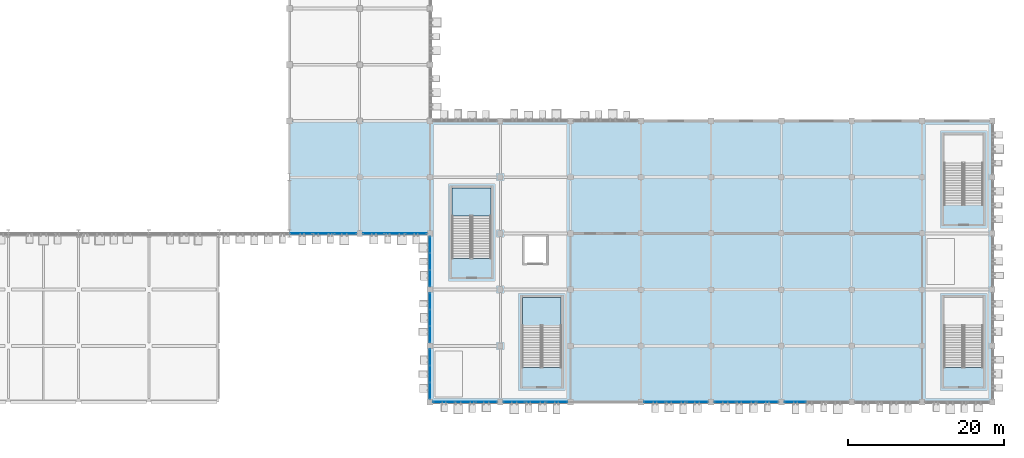
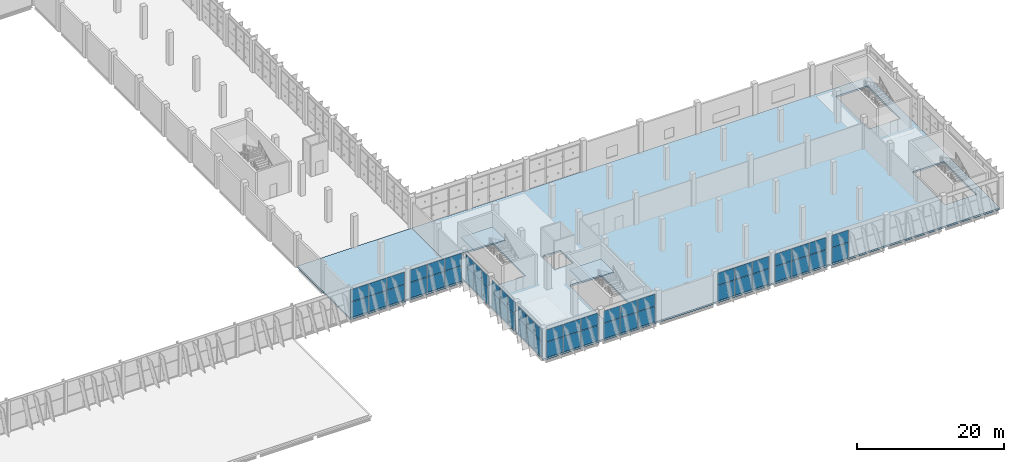
# One storey, part 115 of 189: 56 plates, 4 slabs, 12 elements without a shape of their own.
"""IFC4 building model written with IfcOpenShell, lengths in metres."""

from ifc_helpers import new_model, si_unit, direction, frame, origin, origin_2d, place, context, subcontext, project, spatial, polyline, rectangle, outline, extrude, material, layer, layer_set, type_object, element, aggregate, save


model = new_model("IFC4")

# Units and contexts
model_context = context("Model", 3, precision=1e-05, world=origin(), true_north=direction((0.0, 1.0)))
body_context = subcontext(model_context, "Body", "Model", "MODEL_VIEW")
ifc_project = project(units=[si_unit("LENGTHUNIT", "METRE"), si_unit("AREAUNIT", "SQUARE_METRE"), si_unit("VOLUMEUNIT", "CUBIC_METRE"), si_unit("PLANEANGLEUNIT", "RADIAN"), si_unit("MASSUNIT", "GRAM", prefix="KILO")], contexts=[model_context])

# Site, building, storey
site_placement = place(None, origin())
site = spatial("IfcSite", under=ifc_project, at=site_placement, CompositionType="ELEMENT")
building_placement = place(site_placement, origin())
building = spatial("IfcBuilding", under=site, at=building_placement, Name="Celestram Park Convention Centre", CompositionType="ELEMENT")
storey_placement = place(building_placement, frame((0.0, 0.0, 5.39990234375)))
storey = spatial("IfcBuildingStorey", under=building, at=storey_placement, Name="L01", CompositionType="ELEMENT", Elevation=5.39990234375)

# Curtain wall, plates
ifc_material_1 = material(Name="Anodised Aluminium Alloy 6063-T6", Category="aluminium")
ifc_layer_1 = layer(ifc_material_1, 0.179931640625)
ifc_layer_set_1 = layer_set([ifc_layer_1], Name="Anodised Aluminium Alloy 6063-T6")
curtain_wall_type_1 = type_object("IfcCurtainWallType", Name="ARC-CW-645X476", PredefinedType="NOTDEFINED", material=ifc_layer_set_1)
curtain_wall_1_placement = place(storey_placement, origin())
curtain_wall_1 = element("IfcCurtainWall", 1, at=curtain_wall_1_placement, inside=storey, type_object=curtain_wall_type_1, Name="Unitised curtain wall CU-L01-038", PredefinedType="NOTDEFINED")
ifc_material_2 = material(Name="Insulated Glazing Unit 28 mm", Category="glass")
ifc_layer_2 = layer(ifc_material_2, 0.028076171875)
ifc_layer_set_2 = layer_set([ifc_layer_2], Name="Insulated Glazing Unit 28 mm")
plate_type_1 = type_object("IfcPlateType", Name="ARC-CWP-IGU28", PredefinedType="CURTAIN_PANEL", material=ifc_layer_set_2)
plate_1_placement = place(storey_placement, frame((144.0, 1.46484375, 0.06005859375), z_axis=(0.0, 0.0, 1.0), x_axis=(0.0, 1.0, 0.0)))
plate_1 = element("IfcPlate", 2, at=plate_1_placement, type_object=plate_type_1, Name="CW-64X47 panel 1.1", PredefinedType="CURTAIN_PANEL", context=body_context, shape_type="SweptSolid", body=[
    extrude(rectangle(XDim=2.053955078125, YDim=0.028076171875, at=origin_2d()), origin(), (0.0, 0.0, 1.0), 2.56005859375),
])
plate_2_placement = place(storey_placement, frame((144.0, 1.46484375, 2.68017578125), z_axis=(0.0, 0.0, 1.0), x_axis=(0.0, 1.0, 0.0)))
plate_2 = element("IfcPlate", 3, at=plate_2_placement, type_object=plate_type_1, Name="CW-64X47 panel 1.2", PredefinedType="CURTAIN_PANEL", context=body_context, shape_type="SweptSolid", body=[
    extrude(rectangle(XDim=2.053955078125, YDim=0.028076171875, at=origin_2d()), origin(), (0.0, 0.0, 1.0), 2.02392578125),
])
plate_3_placement = place(storey_placement, frame((144.0, 3.60009765625, 0.06005859375), z_axis=(0.0, 0.0, 1.0), x_axis=(0.0, 1.0, 0.0)))
plate_3 = element("IfcPlate", 4, at=plate_3_placement, type_object=plate_type_1, Name="CW-64X47 panel 2.1", PredefinedType="CURTAIN_PANEL", context=body_context, shape_type="SweptSolid", body=[
    extrude(rectangle(XDim=2.08642578125, YDim=0.028076171875, at=origin_2d()), origin(), (0.0, 0.0, 1.0), 2.56005859375),
])
plate_4_placement = place(storey_placement, frame((144.0, 3.60009765625, 2.68017578125), z_axis=(0.0, 0.0, 1.0), x_axis=(0.0, 1.0, 0.0)))
plate_4 = element("IfcPlate", 5, at=plate_4_placement, type_object=plate_type_1, Name="CW-64X47 panel 2.2", PredefinedType="CURTAIN_PANEL", context=body_context, shape_type="SweptSolid", body=[
    extrude(rectangle(XDim=2.08642578125, YDim=0.028076171875, at=origin_2d()), origin(), (0.0, 0.0, 1.0), 2.02392578125),
])
plate_5_placement = place(storey_placement, frame((144.0, 5.735107421875, 0.06005859375), z_axis=(0.0, 0.0, 1.0), x_axis=(0.0, 1.0, 0.0)))
plate_5 = element("IfcPlate", 6, at=plate_5_placement, type_object=plate_type_1, Name="CW-64X47 panel 3.1", PredefinedType="CURTAIN_PANEL", context=body_context, shape_type="SweptSolid", body=[
    extrude(rectangle(XDim=2.053955078125, YDim=0.028076171875, at=origin_2d()), origin(), (0.0, 0.0, 1.0), 2.56005859375),
])
plate_6_placement = place(storey_placement, frame((144.0, 5.735107421875, 2.68017578125), z_axis=(0.0, 0.0, 1.0), x_axis=(0.0, 1.0, 0.0)))
plate_6 = element("IfcPlate", 7, at=plate_6_placement, type_object=plate_type_1, Name="CW-64X47 panel 3.2", PredefinedType="CURTAIN_PANEL", context=body_context, shape_type="SweptSolid", body=[
    extrude(rectangle(XDim=2.053955078125, YDim=0.028076171875, at=origin_2d()), origin(), (0.0, 0.0, 1.0), 2.02392578125),
])
aggregate(curtain_wall_1, [plate_1, plate_2, plate_3, plate_4, plate_5, plate_6])

ifc_layer_3 = layer(ifc_material_1, 0.179931640625)
ifc_layer_set_3 = layer_set([ifc_layer_3], Name="Anodised Aluminium Alloy 6063-T6")
curtain_wall_type_2 = type_object("IfcCurtainWallType", Name="ARC-CW-645X482", PredefinedType="NOTDEFINED", material=ifc_layer_set_3)
curtain_wall_2_placement = place(storey_placement, origin())
curtain_wall_2 = element("IfcCurtainWall", 8, at=curtain_wall_2_placement, inside=storey, type_object=curtain_wall_type_2, Name="Unitised curtain wall CU-L01-039", PredefinedType="NOTDEFINED")
plate_7_placement = place(storey_placement, frame((144.0, 8.664794921875, 0.06005859375), z_axis=(0.0, 0.0, 1.0), x_axis=(0.0, 1.0, 0.0)))
plate_7 = element("IfcPlate", 9, at=plate_7_placement, type_object=plate_type_1, Name="CW-64X48 panel 1.1", PredefinedType="CURTAIN_PANEL", context=body_context, shape_type="SweptSolid", body=[
    extrude(rectangle(XDim=2.053955078125, YDim=0.028076171875, at=origin_2d()), origin(), (0.0, 0.0, 1.0), 2.56005859375),
])
plate_8_placement = place(storey_placement, frame((144.0, 8.664794921875, 2.68017578125), z_axis=(0.0, 0.0, 1.0), x_axis=(0.0, 1.0, 0.0)))
plate_8 = element("IfcPlate", 10, at=plate_8_placement, type_object=plate_type_1, Name="CW-64X48 panel 1.2", PredefinedType="CURTAIN_PANEL", context=body_context, shape_type="SweptSolid", body=[
    extrude(rectangle(XDim=2.053955078125, YDim=0.028076171875, at=origin_2d()), origin(), (0.0, 0.0, 1.0), 2.080078125),
])
plate_9_placement = place(storey_placement, frame((144.0, 10.800048828125, 0.06005859375), z_axis=(0.0, 0.0, 1.0), x_axis=(0.0, 1.0, 0.0)))
plate_9 = element("IfcPlate", 11, at=plate_9_placement, type_object=plate_type_1, Name="CW-64X48 panel 2.1", PredefinedType="CURTAIN_PANEL", context=body_context, shape_type="SweptSolid", body=[
    extrude(rectangle(XDim=2.08642578125, YDim=0.028076171875, at=origin_2d()), origin(), (0.0, 0.0, 1.0), 2.56005859375),
])
plate_10_placement = place(storey_placement, frame((144.0, 10.800048828125, 2.68017578125), z_axis=(0.0, 0.0, 1.0), x_axis=(0.0, 1.0, 0.0)))
plate_10 = element("IfcPlate", 12, at=plate_10_placement, type_object=plate_type_1, Name="CW-64X48 panel 2.2", PredefinedType="CURTAIN_PANEL", context=body_context, shape_type="SweptSolid", body=[
    extrude(rectangle(XDim=2.08642578125, YDim=0.028076171875, at=origin_2d()), origin(), (0.0, 0.0, 1.0), 2.080078125),
])
plate_11_placement = place(storey_placement, frame((144.0, 12.93505859375, 0.06005859375), z_axis=(0.0, 0.0, 1.0), x_axis=(0.0, 1.0, 0.0)))
plate_11 = element("IfcPlate", 13, at=plate_11_placement, type_object=plate_type_1, Name="CW-64X48 panel 3.1", PredefinedType="CURTAIN_PANEL", context=body_context, shape_type="SweptSolid", body=[
    extrude(rectangle(XDim=2.053955078125, YDim=0.028076171875, at=origin_2d()), origin(), (0.0, 0.0, 1.0), 2.56005859375),
])
plate_12_placement = place(storey_placement, frame((144.0, 12.93505859375, 2.68017578125), z_axis=(0.0, 0.0, 1.0), x_axis=(0.0, 1.0, 0.0)))
plate_12 = element("IfcPlate", 14, at=plate_12_placement, type_object=plate_type_1, Name="CW-64X48 panel 3.2", PredefinedType="CURTAIN_PANEL", context=body_context, shape_type="SweptSolid", body=[
    extrude(rectangle(XDim=2.053955078125, YDim=0.028076171875, at=origin_2d()), origin(), (0.0, 0.0, 1.0), 2.080078125),
])
aggregate(curtain_wall_2, [plate_7, plate_8, plate_9, plate_10, plate_11, plate_12])

ifc_layer_4 = layer(ifc_material_1, 0.179931640625)
ifc_layer_set_4 = layer_set([ifc_layer_4], Name="Anodised Aluminium Alloy 6063-T6")
curtain_wall_type_3 = type_object("IfcCurtainWallType", Name="ARC-CW-645X480", PredefinedType="NOTDEFINED", material=ifc_layer_set_4)
curtain_wall_3_placement = place(storey_placement, origin())
curtain_wall_3 = element("IfcCurtainWall", 15, at=curtain_wall_3_placement, inside=storey, type_object=curtain_wall_type_3, Name="Unitised curtain wall CU-L01-040", PredefinedType="NOTDEFINED")
plate_13_placement = place(storey_placement, frame((144.0, 15.864990234375, 0.06005859375), z_axis=(0.0, 0.0, 1.0), x_axis=(0.0, 1.0, 0.0)))
plate_13 = element("IfcPlate", 16, at=plate_13_placement, type_object=plate_type_1, Name="CW-64X48 panel 1.1", PredefinedType="CURTAIN_PANEL", context=body_context, shape_type="SweptSolid", body=[
    extrude(rectangle(XDim=2.053955078125, YDim=0.028076171875, at=origin_2d()), origin(), (0.0, 0.0, 1.0), 2.56005859375),
])
plate_14_placement = place(storey_placement, frame((144.0, 15.864990234375, 2.68017578125), z_axis=(0.0, 0.0, 1.0), x_axis=(0.0, 1.0, 0.0)))
plate_14 = element("IfcPlate", 17, at=plate_14_placement, type_object=plate_type_1, Name="CW-64X48 panel 1.2", PredefinedType="CURTAIN_PANEL", context=body_context, shape_type="SweptSolid", body=[
    extrude(rectangle(XDim=2.053955078125, YDim=0.028076171875, at=origin_2d()), origin(), (0.0, 0.0, 1.0), 2.06396484375),
])
plate_15_placement = place(storey_placement, frame((144.0, 18.0, 0.06005859375), z_axis=(0.0, 0.0, 1.0), x_axis=(0.0, 1.0, 0.0)))
plate_15 = element("IfcPlate", 18, at=plate_15_placement, type_object=plate_type_1, Name="CW-64X48 panel 2.1", PredefinedType="CURTAIN_PANEL", context=body_context, shape_type="SweptSolid", body=[
    extrude(rectangle(XDim=2.08642578125, YDim=0.028076171875, at=origin_2d()), origin(), (0.0, 0.0, 1.0), 2.56005859375),
])
plate_16_placement = place(storey_placement, frame((144.0, 18.0, 2.68017578125), z_axis=(0.0, 0.0, 1.0), x_axis=(0.0, 1.0, 0.0)))
plate_16 = element("IfcPlate", 19, at=plate_16_placement, type_object=plate_type_1, Name="CW-64X48 panel 2.2", PredefinedType="CURTAIN_PANEL", context=body_context, shape_type="SweptSolid", body=[
    extrude(rectangle(XDim=2.08642578125, YDim=0.028076171875, at=origin_2d()), origin(), (0.0, 0.0, 1.0), 2.06396484375),
])
plate_17_placement = place(storey_placement, frame((144.0, 20.135009765625, 0.06005859375), z_axis=(0.0, 0.0, 1.0), x_axis=(0.0, 1.0, 0.0)))
plate_17 = element("IfcPlate", 20, at=plate_17_placement, type_object=plate_type_1, Name="CW-64X48 panel 3.1", PredefinedType="CURTAIN_PANEL", context=body_context, shape_type="SweptSolid", body=[
    extrude(rectangle(XDim=2.053955078125, YDim=0.028076171875, at=origin_2d()), origin(), (0.0, 0.0, 1.0), 2.56005859375),
])
plate_18_placement = place(storey_placement, frame((144.0, 20.135009765625, 2.68017578125), z_axis=(0.0, 0.0, 1.0), x_axis=(0.0, 1.0, 0.0)))
plate_18 = element("IfcPlate", 21, at=plate_18_placement, type_object=plate_type_1, Name="CW-64X48 panel 3.2", PredefinedType="CURTAIN_PANEL", context=body_context, shape_type="SweptSolid", body=[
    extrude(rectangle(XDim=2.053955078125, YDim=0.028076171875, at=origin_2d()), origin(), (0.0, 0.0, 1.0), 2.06396484375),
])
aggregate(curtain_wall_3, [plate_13, plate_14, plate_15, plate_16, plate_17, plate_18])

ifc_layer_5 = layer(ifc_material_1, 0.179931640625)
ifc_layer_set_5 = layer_set([ifc_layer_5], Name="Anodised Aluminium Alloy 6063-T6")
curtain_wall_type_4 = type_object("IfcCurtainWallType", Name="ARC-CW-825X480", PredefinedType="NOTDEFINED", material=ifc_layer_set_5)
curtain_wall_4_placement = place(storey_placement, origin())
curtain_wall_4 = element("IfcCurtainWall", 22, at=curtain_wall_4_placement, inside=storey, type_object=curtain_wall_type_4, Name="Unitised curtain wall CU-L01-041", PredefinedType="NOTDEFINED")
ifc_material_3 = material(Name="Insulated Glazing Unit 38 mm", Category="glass")
ifc_layer_6 = layer(ifc_material_3, 0.0380859375)
ifc_layer_set_6 = layer_set([ifc_layer_6], Name="Insulated Glazing Unit 38 mm")
plate_type_2 = type_object("IfcPlateType", Name="ARC-CWP-IGU38", PredefinedType="CURTAIN_PANEL", material=ifc_layer_set_6)
plate_19_placement = place(storey_placement, frame((142.232666015625, 21.60009765625, 0.06494140625), z_axis=(0.0, 0.0, 1.0), x_axis=(-1.0, 0.0, 0.0)))
plate_19 = element("IfcPlate", 23, at=plate_19_placement, type_object=plate_type_2, Name="CW-82X48 panel 1.1", PredefinedType="CURTAIN_PANEL", context=body_context, shape_type="SweptSolid", body=[
    extrude(rectangle(XDim=2.638916015625, YDim=0.0380859375, at=origin_2d()), origin(), (0.0, 0.0, 1.0), 2.552490234375),
])
plate_20_placement = place(storey_placement, frame((142.232666015625, 21.60009765625, 2.6826171875), z_axis=(0.0, 0.0, 1.0), x_axis=(-1.0, 0.0, 0.0)))
plate_20 = element("IfcPlate", 24, at=plate_20_placement, type_object=plate_type_2, Name="CW-82X48 panel 1.2", PredefinedType="CURTAIN_PANEL", context=body_context, shape_type="SweptSolid", body=[
    extrude(rectangle(XDim=2.638916015625, YDim=0.0380859375, at=origin_2d()), origin(), (0.0, 0.0, 1.0), 2.056396484375),
])
plate_21_placement = place(storey_placement, frame((139.5, 21.60009765625, 0.06494140625), z_axis=(0.0, 0.0, 1.0), x_axis=(-1.0, 0.0, 0.0)))
plate_21 = element("IfcPlate", 25, at=plate_21_placement, type_object=plate_type_2, Name="CW-82X48 panel 2.1", PredefinedType="CURTAIN_PANEL", context=body_context, shape_type="SweptSolid", body=[
    extrude(rectangle(XDim=2.67626953125, YDim=0.0380859375, at=origin_2d()), origin(), (0.0, 0.0, 1.0), 2.552490234375),
])
plate_22_placement = place(storey_placement, frame((139.5, 21.60009765625, 2.6826171875), z_axis=(0.0, 0.0, 1.0), x_axis=(-1.0, 0.0, 0.0)))
plate_22 = element("IfcPlate", 26, at=plate_22_placement, type_object=plate_type_2, Name="CW-82X48 panel 2.2", PredefinedType="CURTAIN_PANEL", context=body_context, shape_type="SweptSolid", body=[
    extrude(rectangle(XDim=2.67626953125, YDim=0.0380859375, at=origin_2d()), origin(), (0.0, 0.0, 1.0), 2.056396484375),
])
plate_23_placement = place(storey_placement, frame((136.767333984375, 21.60009765625, 0.06494140625), z_axis=(0.0, 0.0, 1.0), x_axis=(-1.0, 0.0, 0.0)))
plate_23 = element("IfcPlate", 27, at=plate_23_placement, type_object=plate_type_2, Name="CW-82X48 panel 3.1", PredefinedType="CURTAIN_PANEL", context=body_context, shape_type="SweptSolid", body=[
    extrude(rectangle(XDim=2.638916015625, YDim=0.0380859375, at=origin_2d()), origin(), (0.0, 0.0, 1.0), 2.552490234375),
])
plate_24_placement = place(storey_placement, frame((136.767333984375, 21.60009765625, 2.6826171875), z_axis=(0.0, 0.0, 1.0), x_axis=(-1.0, 0.0, 0.0)))
plate_24 = element("IfcPlate", 28, at=plate_24_placement, type_object=plate_type_2, Name="CW-82X48 panel 3.2", PredefinedType="CURTAIN_PANEL", context=body_context, shape_type="SweptSolid", body=[
    extrude(rectangle(XDim=2.638916015625, YDim=0.0380859375, at=origin_2d()), origin(), (0.0, 0.0, 1.0), 2.056396484375),
])
aggregate(curtain_wall_4, [plate_19, plate_20, plate_21, plate_22, plate_23, plate_24])

ifc_layer_7 = layer(ifc_material_1, 0.179931640625)
ifc_layer_set_7 = layer_set([ifc_layer_7], Name="Anodised Aluminium Alloy 6063-T6")
curtain_wall_type_5 = type_object("IfcCurtainWallType", Name="ARC-CW-862X480", PredefinedType="NOTDEFINED", material=ifc_layer_set_7)
curtain_wall_5_placement = place(storey_placement, origin())
curtain_wall_5 = element("IfcCurtainWall", 29, at=curtain_wall_5_placement, inside=storey, type_object=curtain_wall_type_5, Name="Unitised curtain wall CU-L01-042", PredefinedType="NOTDEFINED")
plate_25_placement = place(storey_placement, frame((133.172119140625, 21.60009765625, 0.06494140625), z_axis=(0.0, 0.0, 1.0), x_axis=(-1.0, 0.0, 0.0)))
plate_25 = element("IfcPlate", 30, at=plate_25_placement, type_object=plate_type_2, Name="CW-86X48 panel 1.1", PredefinedType="CURTAIN_PANEL", context=body_context, shape_type="SweptSolid", body=[
    extrude(rectangle(XDim=2.759765625, YDim=0.0380859375, at=origin_2d()), origin(), (0.0, 0.0, 1.0), 2.552490234375),
])
plate_26_placement = place(storey_placement, frame((133.172119140625, 21.60009765625, 2.6826171875), z_axis=(0.0, 0.0, 1.0), x_axis=(-1.0, 0.0, 0.0)))
plate_26 = element("IfcPlate", 31, at=plate_26_placement, type_object=plate_type_2, Name="CW-86X48 panel 1.2", PredefinedType="CURTAIN_PANEL", context=body_context, shape_type="SweptSolid", body=[
    extrude(rectangle(XDim=2.759765625, YDim=0.0380859375, at=origin_2d()), origin(), (0.0, 0.0, 1.0), 2.056396484375),
])
plate_27_placement = place(storey_placement, frame((130.318603515625, 21.60009765625, 0.06494140625), z_axis=(0.0, 0.0, 1.0), x_axis=(-1.0, 0.0, 0.0)))
plate_27 = element("IfcPlate", 32, at=plate_27_placement, type_object=plate_type_2, Name="CW-86X48 panel 2.1", PredefinedType="CURTAIN_PANEL", context=body_context, shape_type="SweptSolid", body=[
    extrude(rectangle(XDim=2.79736328125, YDim=0.0380859375, at=origin_2d()), origin(), (0.0, 0.0, 1.0), 2.552490234375),
])
plate_28_placement = place(storey_placement, frame((130.318603515625, 21.60009765625, 2.6826171875), z_axis=(0.0, 0.0, 1.0), x_axis=(-1.0, 0.0, 0.0)))
plate_28 = element("IfcPlate", 33, at=plate_28_placement, type_object=plate_type_2, Name="CW-86X48 panel 2.2", PredefinedType="CURTAIN_PANEL", context=body_context, shape_type="SweptSolid", body=[
    extrude(rectangle(XDim=2.79736328125, YDim=0.0380859375, at=origin_2d()), origin(), (0.0, 0.0, 1.0), 2.056396484375),
])
plate_29_placement = place(storey_placement, frame((127.46484375, 21.60009765625, 0.06494140625), z_axis=(0.0, 0.0, 1.0), x_axis=(-1.0, 0.0, 0.0)))
plate_29 = element("IfcPlate", 34, at=plate_29_placement, type_object=plate_type_2, Name="CW-86X48 panel 3.1", PredefinedType="CURTAIN_PANEL", context=body_context, shape_type="SweptSolid", body=[
    extrude(rectangle(XDim=2.759765625, YDim=0.0380859375, at=origin_2d()), origin(), (0.0, 0.0, 1.0), 2.552490234375),
])
plate_30_placement = place(storey_placement, frame((127.46484375, 21.60009765625, 2.6826171875), z_axis=(0.0, 0.0, 1.0), x_axis=(-1.0, 0.0, 0.0)))
plate_30 = element("IfcPlate", 35, at=plate_30_placement, type_object=plate_type_2, Name="CW-86X48 panel 3.2", PredefinedType="CURTAIN_PANEL", context=body_context, shape_type="SweptSolid", body=[
    extrude(rectangle(XDim=2.759765625, YDim=0.0380859375, at=origin_2d()), origin(), (0.0, 0.0, 1.0), 2.056396484375),
])
aggregate(curtain_wall_5, [plate_25, plate_26, plate_27, plate_28, plate_29, plate_30])

ifc_layer_8 = layer(ifc_material_1, 0.179931640625)
ifc_layer_set_8 = layer_set([ifc_layer_8], Name="Anodised Aluminium Alloy 6063-T6")
curtain_wall_type_6 = type_object("IfcCurtainWallType", Name="ARC-CW-825X476", PredefinedType="NOTDEFINED", material=ifc_layer_set_8)
curtain_wall_6_placement = place(storey_placement, origin())
curtain_wall_6 = element("IfcCurtainWall", 36, at=curtain_wall_6_placement, inside=storey, type_object=curtain_wall_type_6, Name="Unitised curtain wall CU-L01-108", PredefinedType="NOTDEFINED")
plate_31_placement = place(storey_placement, frame((190.767333984375, 0.0, 0.06494140625), z_axis=(0.0, 0.0, 1.0), x_axis=(-1.0, 0.0, 0.0)))
plate_31 = element("IfcPlate", 37, at=plate_31_placement, type_object=plate_type_2, Name="CW-82X47 panel 3.1", PredefinedType="CURTAIN_PANEL", context=body_context, shape_type="SweptSolid", body=[
    extrude(rectangle(XDim=2.638916015625, YDim=0.0380859375, at=origin_2d()), origin(), (0.0, 0.0, 1.0), 2.552490234375),
])
plate_32_placement = place(storey_placement, frame((190.767333984375, 0.0, 2.6826171875), z_axis=(0.0, 0.0, 1.0), x_axis=(-1.0, 0.0, 0.0)))
plate_32 = element("IfcPlate", 38, at=plate_32_placement, type_object=plate_type_2, Name="CW-82X47 panel 3.2", PredefinedType="CURTAIN_PANEL", context=body_context, shape_type="SweptSolid", body=[
    extrude(rectangle(XDim=2.638916015625, YDim=0.0380859375, at=origin_2d()), origin(), (0.0, 0.0, 1.0), 2.0166015625),
])
aggregate(curtain_wall_6, [plate_31, plate_32])

curtain_wall_7_placement = place(storey_placement, origin())
curtain_wall_7 = element("IfcCurtainWall", 39, at=curtain_wall_7_placement, inside=storey, type_object=curtain_wall_type_6, Name="Unitised curtain wall CU-L01-109", PredefinedType="NOTDEFINED")
plate_33_placement = place(storey_placement, frame((187.232666015625, 0.0, 0.06494140625), z_axis=(0.0, 0.0, 1.0), x_axis=(-1.0, 0.0, 0.0)))
plate_33 = element("IfcPlate", 40, at=plate_33_placement, type_object=plate_type_2, Name="CW-82X47 panel 1.1", PredefinedType="CURTAIN_PANEL", context=body_context, shape_type="SweptSolid", body=[
    extrude(rectangle(XDim=2.638916015625, YDim=0.0380859375, at=origin_2d()), origin(), (0.0, 0.0, 1.0), 2.552490234375),
])
plate_34_placement = place(storey_placement, frame((187.232666015625, 0.0, 2.6826171875), z_axis=(0.0, 0.0, 1.0), x_axis=(-1.0, 0.0, 0.0)))
plate_34 = element("IfcPlate", 41, at=plate_34_placement, type_object=plate_type_2, Name="CW-82X47 panel 1.2", PredefinedType="CURTAIN_PANEL", context=body_context, shape_type="SweptSolid", body=[
    extrude(rectangle(XDim=2.638916015625, YDim=0.0380859375, at=origin_2d()), origin(), (0.0, 0.0, 1.0), 2.0166015625),
])
plate_35_placement = place(storey_placement, frame((184.5, 0.0, 0.06494140625), z_axis=(0.0, 0.0, 1.0), x_axis=(-1.0, 0.0, 0.0)))
plate_35 = element("IfcPlate", 42, at=plate_35_placement, type_object=plate_type_2, Name="CW-82X47 panel 2.1", PredefinedType="CURTAIN_PANEL", context=body_context, shape_type="SweptSolid", body=[
    extrude(rectangle(XDim=2.67626953125, YDim=0.0380859375, at=origin_2d()), origin(), (0.0, 0.0, 1.0), 2.552490234375),
])
plate_36_placement = place(storey_placement, frame((184.5, 0.0, 2.6826171875), z_axis=(0.0, 0.0, 1.0), x_axis=(-1.0, 0.0, 0.0)))
plate_36 = element("IfcPlate", 43, at=plate_36_placement, type_object=plate_type_2, Name="CW-82X47 panel 2.2", PredefinedType="CURTAIN_PANEL", context=body_context, shape_type="SweptSolid", body=[
    extrude(rectangle(XDim=2.67626953125, YDim=0.0380859375, at=origin_2d()), origin(), (0.0, 0.0, 1.0), 2.0166015625),
])
plate_37_placement = place(storey_placement, frame((181.767333984375, 0.0, 0.06494140625), z_axis=(0.0, 0.0, 1.0), x_axis=(-1.0, 0.0, 0.0)))
plate_37 = element("IfcPlate", 44, at=plate_37_placement, type_object=plate_type_2, Name="CW-82X47 panel 3.1", PredefinedType="CURTAIN_PANEL", context=body_context, shape_type="SweptSolid", body=[
    extrude(rectangle(XDim=2.638916015625, YDim=0.0380859375, at=origin_2d()), origin(), (0.0, 0.0, 1.0), 2.552490234375),
])
plate_38_placement = place(storey_placement, frame((181.767333984375, 0.0, 2.6826171875), z_axis=(0.0, 0.0, 1.0), x_axis=(-1.0, 0.0, 0.0)))
plate_38 = element("IfcPlate", 45, at=plate_38_placement, type_object=plate_type_2, Name="CW-82X47 panel 3.2", PredefinedType="CURTAIN_PANEL", context=body_context, shape_type="SweptSolid", body=[
    extrude(rectangle(XDim=2.638916015625, YDim=0.0380859375, at=origin_2d()), origin(), (0.0, 0.0, 1.0), 2.0166015625),
])
aggregate(curtain_wall_7, [plate_33, plate_34, plate_35, plate_36, plate_37, plate_38])

curtain_wall_8_placement = place(storey_placement, origin())
curtain_wall_8 = element("IfcCurtainWall", 46, at=curtain_wall_8_placement, inside=storey, type_object=curtain_wall_type_6, Name="Unitised curtain wall CU-L01-110", PredefinedType="NOTDEFINED")
plate_39_placement = place(storey_placement, frame((178.232666015625, 0.0, 0.06494140625), z_axis=(0.0, 0.0, 1.0), x_axis=(-1.0, 0.0, 0.0)))
plate_39 = element("IfcPlate", 47, at=plate_39_placement, type_object=plate_type_2, Name="CW-82X47 panel 1.1", PredefinedType="CURTAIN_PANEL", context=body_context, shape_type="SweptSolid", body=[
    extrude(rectangle(XDim=2.638916015625, YDim=0.0380859375, at=origin_2d()), origin(), (0.0, 0.0, 1.0), 2.552490234375),
])
plate_40_placement = place(storey_placement, frame((178.232666015625, 0.0, 2.6826171875), z_axis=(0.0, 0.0, 1.0), x_axis=(-1.0, 0.0, 0.0)))
plate_40 = element("IfcPlate", 48, at=plate_40_placement, type_object=plate_type_2, Name="CW-82X47 panel 1.2", PredefinedType="CURTAIN_PANEL", context=body_context, shape_type="SweptSolid", body=[
    extrude(rectangle(XDim=2.638916015625, YDim=0.0380859375, at=origin_2d()), origin(), (0.0, 0.0, 1.0), 2.0166015625),
])
plate_41_placement = place(storey_placement, frame((175.5, 0.0, 0.06494140625), z_axis=(0.0, 0.0, 1.0), x_axis=(-1.0, 0.0, 0.0)))
plate_41 = element("IfcPlate", 49, at=plate_41_placement, type_object=plate_type_2, Name="CW-82X47 panel 2.1", PredefinedType="CURTAIN_PANEL", context=body_context, shape_type="SweptSolid", body=[
    extrude(rectangle(XDim=2.67626953125, YDim=0.0380859375, at=origin_2d()), origin(), (0.0, 0.0, 1.0), 2.552490234375),
])
plate_42_placement = place(storey_placement, frame((175.5, 0.0, 2.6826171875), z_axis=(0.0, 0.0, 1.0), x_axis=(-1.0, 0.0, 0.0)))
plate_42 = element("IfcPlate", 50, at=plate_42_placement, type_object=plate_type_2, Name="CW-82X47 panel 2.2", PredefinedType="CURTAIN_PANEL", context=body_context, shape_type="SweptSolid", body=[
    extrude(rectangle(XDim=2.67626953125, YDim=0.0380859375, at=origin_2d()), origin(), (0.0, 0.0, 1.0), 2.0166015625),
])
plate_43_placement = place(storey_placement, frame((172.767333984375, 0.0, 0.06494140625), z_axis=(0.0, 0.0, 1.0), x_axis=(-1.0, 0.0, 0.0)))
plate_43 = element("IfcPlate", 51, at=plate_43_placement, type_object=plate_type_2, Name="CW-82X47 panel 3.1", PredefinedType="CURTAIN_PANEL", context=body_context, shape_type="SweptSolid", body=[
    extrude(rectangle(XDim=2.638916015625, YDim=0.0380859375, at=origin_2d()), origin(), (0.0, 0.0, 1.0), 2.552490234375),
])
plate_44_placement = place(storey_placement, frame((172.767333984375, 0.0, 2.6826171875), z_axis=(0.0, 0.0, 1.0), x_axis=(-1.0, 0.0, 0.0)))
plate_44 = element("IfcPlate", 52, at=plate_44_placement, type_object=plate_type_2, Name="CW-82X47 panel 3.2", PredefinedType="CURTAIN_PANEL", context=body_context, shape_type="SweptSolid", body=[
    extrude(rectangle(XDim=2.638916015625, YDim=0.0380859375, at=origin_2d()), origin(), (0.0, 0.0, 1.0), 2.0166015625),
])
aggregate(curtain_wall_8, [plate_39, plate_40, plate_41, plate_42, plate_43, plate_44])

curtain_wall_9_placement = place(storey_placement, origin())
curtain_wall_9 = element("IfcCurtainWall", 53, at=curtain_wall_9_placement, inside=storey, type_object=curtain_wall_type_6, Name="Unitised curtain wall CU-L01-111", PredefinedType="NOTDEFINED")
plate_45_placement = place(storey_placement, frame((160.232666015625, 0.0, 0.06494140625), z_axis=(0.0, 0.0, 1.0), x_axis=(-1.0, 0.0, 0.0)))
plate_45 = element("IfcPlate", 54, at=plate_45_placement, type_object=plate_type_2, Name="CW-82X47 panel 1.1", PredefinedType="CURTAIN_PANEL", context=body_context, shape_type="SweptSolid", body=[
    extrude(rectangle(XDim=2.638916015625, YDim=0.0380859375, at=origin_2d()), origin(), (0.0, 0.0, 1.0), 2.552490234375),
])
plate_46_placement = place(storey_placement, frame((160.232666015625, 0.0, 2.6826171875), z_axis=(0.0, 0.0, 1.0), x_axis=(-1.0, 0.0, 0.0)))
plate_46 = element("IfcPlate", 55, at=plate_46_placement, type_object=plate_type_2, Name="CW-82X47 panel 1.2", PredefinedType="CURTAIN_PANEL", context=body_context, shape_type="SweptSolid", body=[
    extrude(rectangle(XDim=2.638916015625, YDim=0.0380859375, at=origin_2d()), origin(), (0.0, 0.0, 1.0), 2.0166015625),
])
plate_47_placement = place(storey_placement, frame((157.5, 0.0, 0.06494140625), z_axis=(0.0, 0.0, 1.0), x_axis=(-1.0, 0.0, 0.0)))
plate_47 = element("IfcPlate", 56, at=plate_47_placement, type_object=plate_type_2, Name="CW-82X47 panel 2.1", PredefinedType="CURTAIN_PANEL", context=body_context, shape_type="SweptSolid", body=[
    extrude(rectangle(XDim=2.67626953125, YDim=0.0380859375, at=origin_2d()), origin(), (0.0, 0.0, 1.0), 2.552490234375),
])
plate_48_placement = place(storey_placement, frame((157.5, 0.0, 2.6826171875), z_axis=(0.0, 0.0, 1.0), x_axis=(-1.0, 0.0, 0.0)))
plate_48 = element("IfcPlate", 57, at=plate_48_placement, type_object=plate_type_2, Name="CW-82X47 panel 2.2", PredefinedType="CURTAIN_PANEL", context=body_context, shape_type="SweptSolid", body=[
    extrude(rectangle(XDim=2.67626953125, YDim=0.0380859375, at=origin_2d()), origin(), (0.0, 0.0, 1.0), 2.0166015625),
])
plate_49_placement = place(storey_placement, frame((154.767333984375, 0.0, 0.06494140625), z_axis=(0.0, 0.0, 1.0), x_axis=(-1.0, 0.0, 0.0)))
plate_49 = element("IfcPlate", 58, at=plate_49_placement, type_object=plate_type_2, Name="CW-82X47 panel 3.1", PredefinedType="CURTAIN_PANEL", context=body_context, shape_type="SweptSolid", body=[
    extrude(rectangle(XDim=2.638916015625, YDim=0.0380859375, at=origin_2d()), origin(), (0.0, 0.0, 1.0), 2.552490234375),
])
plate_50_placement = place(storey_placement, frame((154.767333984375, 0.0, 2.6826171875), z_axis=(0.0, 0.0, 1.0), x_axis=(-1.0, 0.0, 0.0)))
plate_50 = element("IfcPlate", 59, at=plate_50_placement, type_object=plate_type_2, Name="CW-82X47 panel 3.2", PredefinedType="CURTAIN_PANEL", context=body_context, shape_type="SweptSolid", body=[
    extrude(rectangle(XDim=2.638916015625, YDim=0.0380859375, at=origin_2d()), origin(), (0.0, 0.0, 1.0), 2.0166015625),
])
aggregate(curtain_wall_9, [plate_45, plate_46, plate_47, plate_48, plate_49, plate_50])

curtain_wall_10_placement = place(storey_placement, origin())
curtain_wall_10 = element("IfcCurtainWall", 60, at=curtain_wall_10_placement, inside=storey, type_object=curtain_wall_type_6, Name="Unitised curtain wall CU-L01-112", PredefinedType="NOTDEFINED")
plate_51_placement = place(storey_placement, frame((151.232666015625, 0.0, 0.06494140625), z_axis=(0.0, 0.0, 1.0), x_axis=(-1.0, 0.0, 0.0)))
plate_51 = element("IfcPlate", 61, at=plate_51_placement, type_object=plate_type_2, Name="CW-82X47 panel 1.1", PredefinedType="CURTAIN_PANEL", context=body_context, shape_type="SweptSolid", body=[
    extrude(rectangle(XDim=2.638916015625, YDim=0.0380859375, at=origin_2d()), origin(), (0.0, 0.0, 1.0), 2.552490234375),
])
plate_52_placement = place(storey_placement, frame((151.232666015625, 0.0, 2.6826171875), z_axis=(0.0, 0.0, 1.0), x_axis=(-1.0, 0.0, 0.0)))
plate_52 = element("IfcPlate", 62, at=plate_52_placement, type_object=plate_type_2, Name="CW-82X47 panel 1.2", PredefinedType="CURTAIN_PANEL", context=body_context, shape_type="SweptSolid", body=[
    extrude(rectangle(XDim=2.638916015625, YDim=0.0380859375, at=origin_2d()), origin(), (0.0, 0.0, 1.0), 2.0166015625),
])
plate_53_placement = place(storey_placement, frame((148.5, 0.0, 0.06494140625), z_axis=(0.0, 0.0, 1.0), x_axis=(-1.0, 0.0, 0.0)))
plate_53 = element("IfcPlate", 63, at=plate_53_placement, type_object=plate_type_2, Name="CW-82X47 panel 2.1", PredefinedType="CURTAIN_PANEL", context=body_context, shape_type="SweptSolid", body=[
    extrude(rectangle(XDim=2.67626953125, YDim=0.0380859375, at=origin_2d()), origin(), (0.0, 0.0, 1.0), 2.552490234375),
])
plate_54_placement = place(storey_placement, frame((148.5, 0.0, 2.6826171875), z_axis=(0.0, 0.0, 1.0), x_axis=(-1.0, 0.0, 0.0)))
plate_54 = element("IfcPlate", 64, at=plate_54_placement, type_object=plate_type_2, Name="CW-82X47 panel 2.2", PredefinedType="CURTAIN_PANEL", context=body_context, shape_type="SweptSolid", body=[
    extrude(rectangle(XDim=2.67626953125, YDim=0.0380859375, at=origin_2d()), origin(), (0.0, 0.0, 1.0), 2.0166015625),
])
plate_55_placement = place(storey_placement, frame((145.767333984375, 0.0, 0.06494140625), z_axis=(0.0, 0.0, 1.0), x_axis=(-1.0, 0.0, 0.0)))
plate_55 = element("IfcPlate", 65, at=plate_55_placement, type_object=plate_type_2, Name="CW-82X47 panel 3.1", PredefinedType="CURTAIN_PANEL", context=body_context, shape_type="SweptSolid", body=[
    extrude(rectangle(XDim=2.638916015625, YDim=0.0380859375, at=origin_2d()), origin(), (0.0, 0.0, 1.0), 2.552490234375),
])
plate_56_placement = place(storey_placement, frame((145.767333984375, 0.0, 2.6826171875), z_axis=(0.0, 0.0, 1.0), x_axis=(-1.0, 0.0, 0.0)))
plate_56 = element("IfcPlate", 66, at=plate_56_placement, type_object=plate_type_2, Name="CW-82X47 panel 3.2", PredefinedType="CURTAIN_PANEL", context=body_context, shape_type="SweptSolid", body=[
    extrude(rectangle(XDim=2.638916015625, YDim=0.0380859375, at=origin_2d()), origin(), (0.0, 0.0, 1.0), 2.0166015625),
])
aggregate(curtain_wall_10, [plate_51, plate_52, plate_53, plate_54, plate_55, plate_56])

# Slabs
ifc_material_4 = material(Name="Concrete C35/45", Category="concrete")
ifc_layer_9 = layer(ifc_material_4, 0.280029296875)
ifc_layer_set_9 = layer_set([ifc_layer_9], Name="Concrete C35/45")
slab_type_1 = type_object("IfcSlabType", Name="STR-SLB-FLR280", PredefinedType="FLOOR", material=ifc_layer_set_9)
slab_1_placement = place(storey_placement, frame((0.0, 0.0, -0.27978515625)))
element("IfcSlab", 67, at=slab_1_placement, inside=storey, type_object=slab_type_1, Name="Floor slab L01-LNK", PredefinedType="FLOOR", context=body_context, shape_type="SweptSolid", body=[
    extrude(outline(polyline([(126.0, 21.60009765625), (126.0, 36.0), (144.0, 36.0), (144.0, 21.60009765625), (126.0, 21.60009765625)])), origin(), (0.0, 0.0, 1.0), 0.27978515625),
])
slab_2_placement = place(storey_placement, frame((0.0, 0.0, -0.27978515625)))
element("IfcSlab", 68, at=slab_2_placement, inside=storey, type_object=slab_type_1, Name="Floor slab L01-BLR", PredefinedType="FLOOR", context=body_context, shape_type="SweptSolid", body=[
    extrude(outline(polyline([(144.0, 0.0), (144.0, 36.0), (216.0, 36.0), (216.0, 0.0), (144.0, 0.0)]), holes=[polyline([(160.800048828125, 4.406005859375), (160.800048828125, 13.39990234375), (155.840087890625, 13.39990234375), (155.840087890625, 4.406005859375), (160.800048828125, 4.406005859375)]), polyline([(214.800048828125, 4.406005859375), (214.800048828125, 13.39990234375), (209.840087890625, 13.39990234375), (209.840087890625, 4.406005859375), (214.800048828125, 4.406005859375)]), polyline([(156.050048828125, 17.75), (158.949951171875, 17.75), (158.949951171875, 21.25), (156.050048828125, 21.25), (156.050048828125, 17.75)]), polyline([(151.800048828125, 18.406005859375), (151.800048828125, 27.39990234375), (146.840087890625, 27.39990234375), (146.840087890625, 18.406005859375), (151.800048828125, 18.406005859375)]), polyline([(214.800048828125, 25.2060546875), (214.800048828125, 34.199951171875), (209.840087890625, 34.199951171875), (209.840087890625, 25.2060546875), (214.800048828125, 25.2060546875)])]), origin(), (0.0, 0.0, 1.0), 0.27978515625),
])

# Stair, slab
ifc_material_5 = material(Name="Precast Concrete C40/50", Category="concrete")
stair_type = type_object("IfcStairType", Name="ARC-STR-DOG54", PredefinedType="HALF_TURN_STAIR", material=ifc_material_5)
stair_1_placement = place(storey_placement, origin())
stair_1 = element("IfcStair", 69, at=stair_1_placement, inside=storey, type_object=stair_type, Name="L01 Core C6 stair ST-06", PredefinedType="HALF_TURN_STAIR")
ifc_layer_10 = layer(ifc_material_4, 0.199951171875)
ifc_layer_set_10 = layer_set([ifc_layer_10], Name="Concrete C35/45")
slab_type_2 = type_object("IfcSlabType", Name="STR-SLB-LND200", PredefinedType="LANDING", material=ifc_layer_set_10)
slab_3_placement = place(storey_placement, frame((0.0, 0.0, 2.5)))
slab_3 = element("IfcSlab", 70, at=slab_3_placement, type_object=slab_type_2, Name="ST-06 landing 1", PredefinedType="LANDING", context=body_context, shape_type="SweptSolid", body=[
    extrude(outline(polyline([(151.800048828125, 23.833984375), (151.800048828125, 27.39990234375), (146.840087890625, 27.39990234375), (146.840087890625, 23.833984375), (151.800048828125, 23.833984375)])), origin(), (0.0, 0.0, 1.0), 0.2001953125),
])
aggregate(stair_1, [slab_3])

stair_2_placement = place(storey_placement, origin())
stair_2 = element("IfcStair", 71, at=stair_2_placement, inside=storey, type_object=stair_type, Name="L01 Core S21 stair ST-21", PredefinedType="HALF_TURN_STAIR")
slab_4_placement = place(storey_placement, frame((0.0, 0.0, 2.5)))
slab_4 = element("IfcSlab", 72, at=slab_4_placement, type_object=slab_type_2, Name="ST-21 landing 1", PredefinedType="LANDING", context=body_context, shape_type="SweptSolid", body=[
    extrude(outline(polyline([(160.800048828125, 9.833984375), (160.800048828125, 13.39990234375), (155.840087890625, 13.39990234375), (155.840087890625, 9.833984375), (160.800048828125, 9.833984375)])), origin(), (0.0, 0.0, 1.0), 0.2001953125),
])
aggregate(stair_2, [slab_4])

save(model, "model.ifc")
